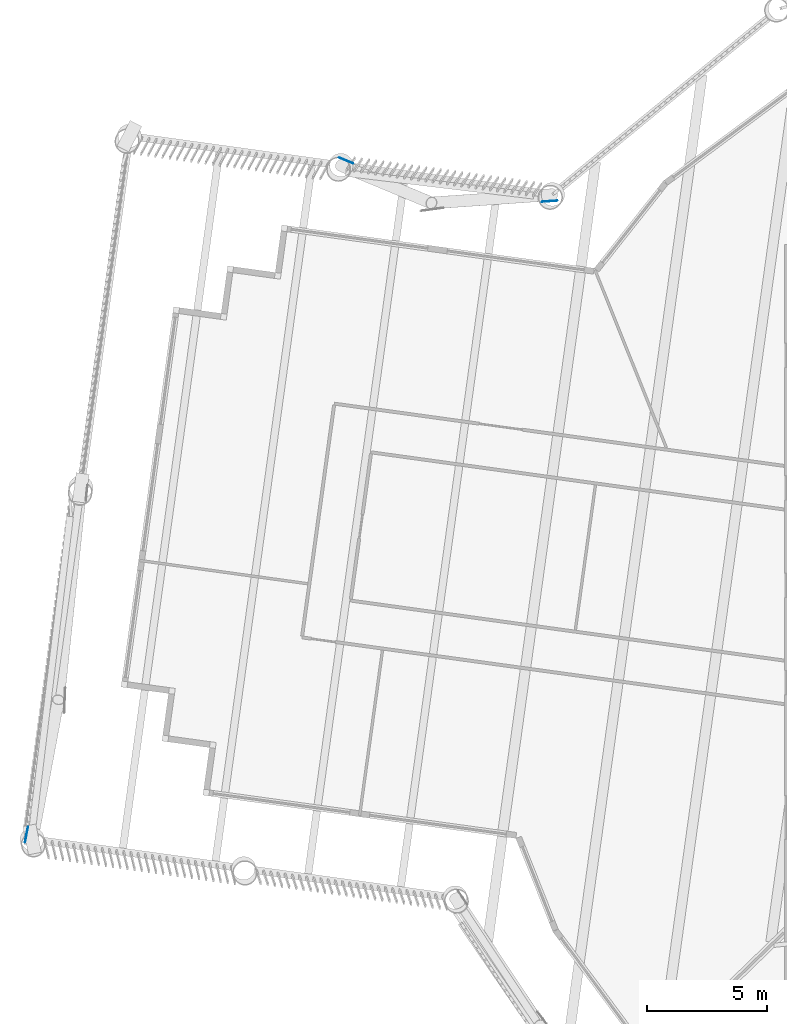
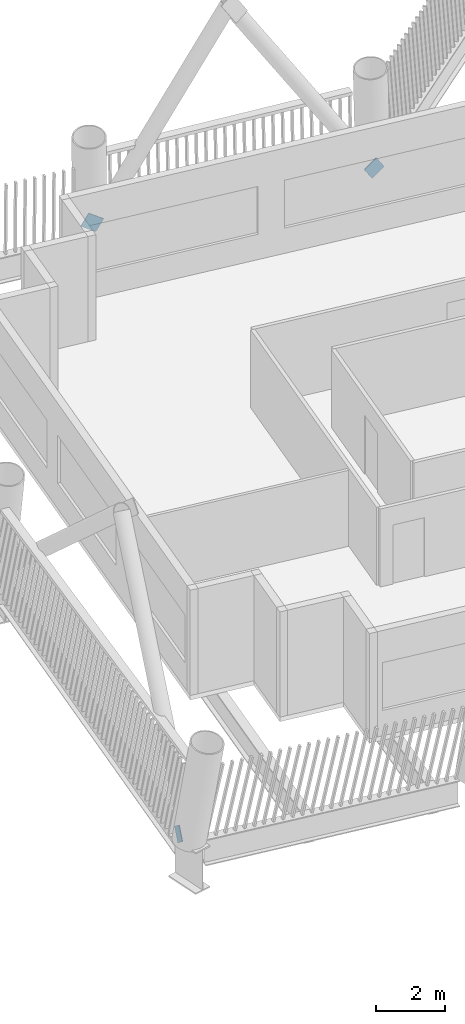
# One storey, part 12 of 21: 3 discrete accessories.
"""IFC4 building model written with IfcOpenShell, lengths in metres."""

from ifc_helpers import new_model, si_unit, direction, frame, origin, origin_2d, place, context, subcontext, project, spatial, rectangle, extrude, material, material_profile, profile_set, type_object, element, save


model = new_model("IFC4")

# Units and contexts
model_context = context("Model", 3, precision=1e-05, world=origin(), true_north=direction((0.0, 1.0)))
body_context = subcontext(model_context, "Body", "Model", "MODEL_VIEW")
ifc_project = project(units=[si_unit("LENGTHUNIT", "METRE"), si_unit("AREAUNIT", "SQUARE_METRE"), si_unit("VOLUMEUNIT", "CUBIC_METRE"), si_unit("PLANEANGLEUNIT", "RADIAN"), si_unit("MASSUNIT", "GRAM", prefix="KILO")], contexts=[model_context])

# Site, building, storey
site_placement = place(None, origin())
site = spatial("IfcSite", under=ifc_project, at=site_placement, CompositionType="ELEMENT")
building_placement = place(site_placement, origin())
building = spatial("IfcBuilding", under=site, at=building_placement, Name="Tarsis Ring Headquarters", CompositionType="ELEMENT")
storey_placement = place(building_placement, frame((0.0, 0.0, 255.199951171875)))
storey = spatial("IfcBuildingStorey", under=building, at=storey_placement, Name="L59", CompositionType="ELEMENT", Elevation=255.199951171875)

# Discrete accessories
ifc_material = material(Name="Structural steel S355", Category="steel")
ifc_material_profile = material_profile(ifc_material, rectangle(XDim=0.02490234375, YDim=0.5, at=origin_2d()), Name="PL 25x500")
ifc_profile_set = profile_set([ifc_material_profile], Name="Structural steel S355")
discrete_accessory_type = type_object("IfcDiscreteAccessoryType", Name="Gusset plate Exo brace 25", PredefinedType="BRACKET", material=ifc_profile_set)
for number, where, z_axis, x_axis, name in (
    (1, (-22.712158203125, 17.8212890625, 0.0), (-0.54242182374, -0.037593591744, 0.839264729981), (0.069141071765, -0.997606892616, 0.0), "Gusset plate GP5"),
    (2, (-31.4462890625, 19.5537109375, 0.0), (0.428291792142, -0.178251430025, 0.885885189219), (0.384241607503, 0.923232574741, 0.0), "Gusset plate GP5"),
    (3, (-44.686767578125, -8.7431640625, 0.0), (0.11133131026, 0.593766988053, 0.796897799755), (-0.982872186934, 0.18428853505, 0.0), "Gusset plate GP5"),
):
    element("IfcDiscreteAccessory", number, at=place(storey_placement, frame(where, z_axis=z_axis, x_axis=x_axis)), inside=storey, type_object=discrete_accessory_type, Name=name, PredefinedType="BRACKET", context=body_context, shape_type="SweptSolid", body=[
        extrude(rectangle(XDim=0.02490234375, YDim=0.5, at=origin_2d()), origin(), (0.0, 0.0, 1.0), 0.5),
    ])

save(model, "model.ifc")
